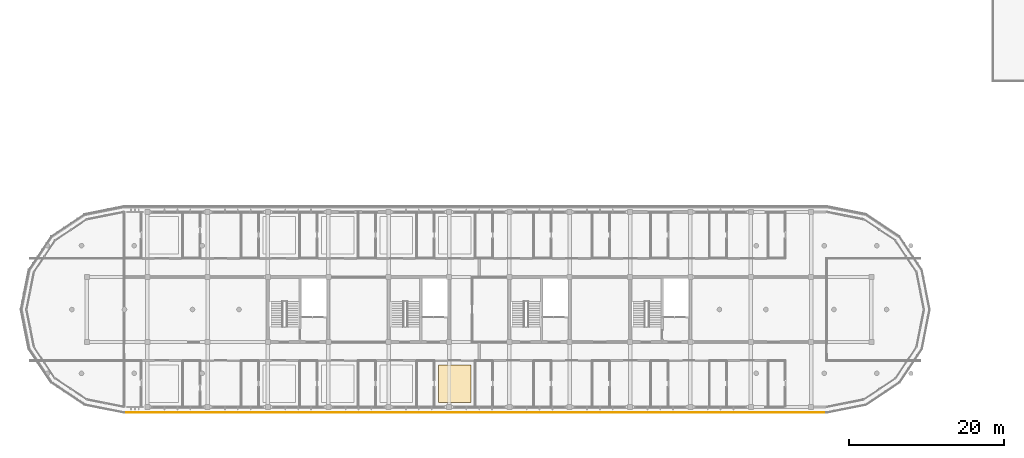
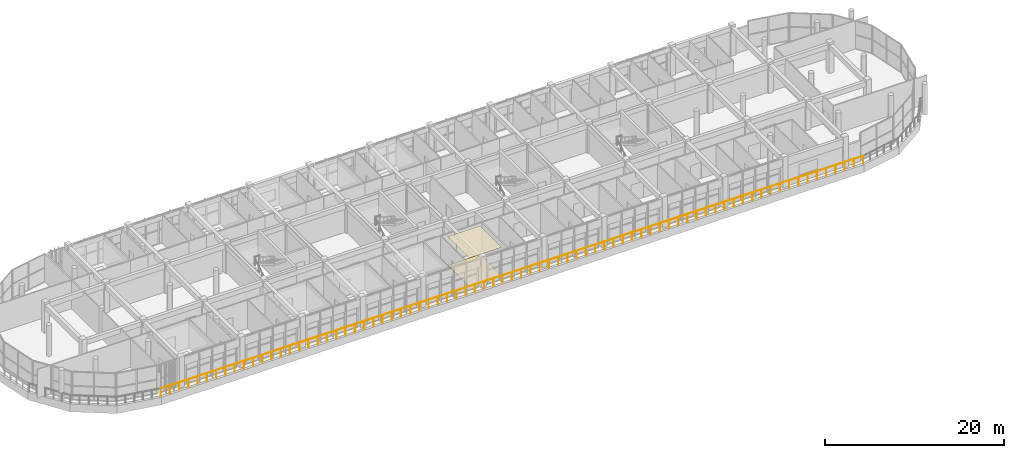
# One storey, part 58 of 63: 2 coverings, 1 railing.
"""IFC4 building model written with IfcOpenShell, lengths in metres."""

from ifc_helpers import new_model, si_unit, direction, frame, origin, origin_2d, place, context, subcontext, project, spatial, polyline, hollow_rectangle, circle, outline, extrude, material, layer, layer_set, material_profile, profile_set, type_object, element, save


model = new_model("IFC4")

# Units and contexts
model_context = context("Model", 3, precision=1e-05, world=origin(), true_north=direction((0.0, 1.0)))
body_context = subcontext(model_context, "Body", "Model", "MODEL_VIEW")
ifc_project = project(units=[si_unit("LENGTHUNIT", "METRE"), si_unit("AREAUNIT", "SQUARE_METRE"), si_unit("VOLUMEUNIT", "CUBIC_METRE"), si_unit("PLANEANGLEUNIT", "RADIAN"), si_unit("MASSUNIT", "GRAM", prefix="KILO")], contexts=[model_context])

# Site, building, storey
site_placement = place(None, origin())
site = spatial("IfcSite", under=ifc_project, at=site_placement, CompositionType="ELEMENT")
building_placement = place(site_placement, origin())
building = spatial("IfcBuilding", under=site, at=building_placement, Name="Zizhar Promenade General Hospital", CompositionType="ELEMENT")
storey_placement = place(building_placement, frame((0.0, 0.0, 18.0)))
storey = spatial("IfcBuildingStorey", under=building, at=storey_placement, Name="L04", CompositionType="ELEMENT", Elevation=18.0)

# Coverings
ifc_material_1 = material(Name="Hygienic acoustic mineral ceiling tile")
ifc_layer_1 = layer(ifc_material_1, 0.02001953125)
ifc_layer_set_1 = layer_set([ifc_layer_1], Name="Hygienic acoustic mineral ceiling tile")
covering_type_1 = type_object("IfcCoveringType", Name="COV-CLG-ACOUST-20", PredefinedType="CEILING", material=ifc_layer_set_1)
covering_1_placement = place(storey_placement, frame((0.0, 0.0, 3.89990234375)))
element("IfcCovering", 1, at=covering_1_placement, inside=storey, type_object=covering_type_1, Name="Acute Medical Inpatient Ward L04-S06 Hygienic Ceiling", PredefinedType="CEILING", context=body_context, shape_type="SweptSolid", body=[
    extrude(outline(polyline([(68.843017578125, 0.594970703125), (73.0400390625, 0.594970703125), (73.0400390625, 5.449951171875), (68.843017578125, 5.449951171875), (68.843017578125, 0.594970703125)])), origin(), (0.0, 0.0, 1.0), 0.02001953125),
])
ifc_material_2 = material(Name="Seamless antimicrobial vinyl flooring")
ifc_layer_2 = layer(ifc_material_2, 0.008056640625)
ifc_layer_set_2 = layer_set([ifc_layer_2], Name="Seamless antimicrobial vinyl flooring")
covering_type_2 = type_object("IfcCoveringType", Name="COV-FLR-VINYL-08", PredefinedType="FLOORING", material=ifc_layer_set_2)
covering_2_placement = place(storey_placement, origin())
element("IfcCovering", 2, at=covering_2_placement, inside=storey, type_object=covering_type_2, Name="Acute Medical Inpatient Ward L04-S06 Clinical Flooring", PredefinedType="FLOORING", context=body_context, shape_type="SweptSolid", body=[
    extrude(outline(polyline([(68.843017578125, 0.594970703125), (73.0400390625, 0.594970703125), (73.0400390625, 5.449951171875), (68.843017578125, 5.449951171875), (68.843017578125, 0.594970703125)])), origin(), (0.0, 0.0, 1.0), 0.008056640625),
])

# Railing
ifc_material_3 = material(Name="Steel S355", Category="steel")
ifc_material_profile = material_profile(ifc_material_3, hollow_rectangle(XDim=0.06005859375, YDim=0.1201171875, WallThickness=0.00390625, at=origin_2d()))
ifc_profile_set = profile_set([ifc_material_profile], Name="Steel S355")
railing_type = type_object("IfcRailingType", Name="RL-GUARD-EXT-1150", PredefinedType="GUARDRAIL", material=ifc_profile_set)
railing_placement = place(storey_placement, frame((28.199951171875, -0.719970703125, 0.0)))
element("IfcRailing", 3, at=railing_placement, inside=storey, type_object=railing_type, Name="Perimeter Safety Guardrail L04-18", PredefinedType="GUARDRAIL", context=body_context, shape_type="SweptSolid", body=[
    extrude(circle(Radius=0.02392578125, at=origin_2d()), frame((0.0, 0.0, 1.1259765625), z_axis=(1.0, 0.0, 0.0), x_axis=(0.0, 1.0, 0.0)), (0.0, 0.0, 1.0), 90.800048828125),
    extrude(circle(Radius=0.02099609375, at=origin_2d()), origin(), (0.0, 0.0, 1.0), 1.101806640625),
    extrude(circle(Radius=0.02099609375, at=origin_2d()), frame((1.19482421875, 0.0, 0.0)), (0.0, 0.0, 1.0), 1.101806640625),
    extrude(circle(Radius=0.02099609375, at=origin_2d()), frame((2.389404296875, 0.0, 0.0)), (0.0, 0.0, 1.0), 1.101806640625),
    extrude(circle(Radius=0.02099609375, at=origin_2d()), frame((3.584228515625, 0.0, 0.0)), (0.0, 0.0, 1.0), 1.101806640625),
    extrude(circle(Radius=0.02099609375, at=origin_2d()), frame((4.779052734375, 0.0, 0.0)), (0.0, 0.0, 1.0), 1.101806640625),
    extrude(circle(Radius=0.02099609375, at=origin_2d()), frame((5.9736328125, 0.0, 0.0)), (0.0, 0.0, 1.0), 1.101806640625),
    extrude(circle(Radius=0.02099609375, at=origin_2d()), frame((7.16845703125, 0.0, 0.0)), (0.0, 0.0, 1.0), 1.101806640625),
    extrude(circle(Radius=0.02099609375, at=origin_2d()), frame((8.36328125, 0.0, 0.0)), (0.0, 0.0, 1.0), 1.101806640625),
    extrude(circle(Radius=0.02099609375, at=origin_2d()), frame((9.557861328125, 0.0, 0.0)), (0.0, 0.0, 1.0), 1.101806640625),
    extrude(circle(Radius=0.02099609375, at=origin_2d()), frame((10.752685546875, 0.0, 0.0)), (0.0, 0.0, 1.0), 1.101806640625),
    extrude(circle(Radius=0.02099609375, at=origin_2d()), frame((11.947265625, 0.0, 0.0)), (0.0, 0.0, 1.0), 1.101806640625),
    extrude(circle(Radius=0.02099609375, at=origin_2d()), frame((13.14208984375, 0.0, 0.0)), (0.0, 0.0, 1.0), 1.101806640625),
    extrude(circle(Radius=0.02099609375, at=origin_2d()), frame((14.3369140625, 0.0, 0.0)), (0.0, 0.0, 1.0), 1.101806640625),
    extrude(circle(Radius=0.02099609375, at=origin_2d()), frame((15.531494140625, 0.0, 0.0)), (0.0, 0.0, 1.0), 1.101806640625),
    extrude(circle(Radius=0.02099609375, at=origin_2d()), frame((16.726318359375, 0.0, 0.0)), (0.0, 0.0, 1.0), 1.101806640625),
    extrude(circle(Radius=0.02099609375, at=origin_2d()), frame((17.921142578125, 0.0, 0.0)), (0.0, 0.0, 1.0), 1.101806640625),
    extrude(circle(Radius=0.02099609375, at=origin_2d()), frame((19.11572265625, 0.0, 0.0)), (0.0, 0.0, 1.0), 1.101806640625),
    extrude(circle(Radius=0.02099609375, at=origin_2d()), frame((20.310546875, 0.0, 0.0)), (0.0, 0.0, 1.0), 1.101806640625),
    extrude(circle(Radius=0.02099609375, at=origin_2d()), frame((21.50537109375, 0.0, 0.0)), (0.0, 0.0, 1.0), 1.101806640625),
    extrude(circle(Radius=0.02099609375, at=origin_2d()), frame((22.699951171875, 0.0, 0.0)), (0.0, 0.0, 1.0), 1.101806640625),
    extrude(circle(Radius=0.02099609375, at=origin_2d()), frame((23.894775390625, 0.0, 0.0)), (0.0, 0.0, 1.0), 1.101806640625),
    extrude(circle(Radius=0.02099609375, at=origin_2d()), frame((25.089599609375, 0.0, 0.0)), (0.0, 0.0, 1.0), 1.101806640625),
    extrude(circle(Radius=0.02099609375, at=origin_2d()), frame((26.2841796875, 0.0, 0.0)), (0.0, 0.0, 1.0), 1.101806640625),
    extrude(circle(Radius=0.02099609375, at=origin_2d()), frame((27.47900390625, 0.0, 0.0)), (0.0, 0.0, 1.0), 1.101806640625),
    extrude(circle(Radius=0.02099609375, at=origin_2d()), frame((28.673583984375, 0.0, 0.0)), (0.0, 0.0, 1.0), 1.101806640625),
    extrude(circle(Radius=0.02099609375, at=origin_2d()), frame((29.868408203125, 0.0, 0.0)), (0.0, 0.0, 1.0), 1.101806640625),
    extrude(circle(Radius=0.02099609375, at=origin_2d()), frame((31.063232421875, 0.0, 0.0)), (0.0, 0.0, 1.0), 1.101806640625),
    extrude(circle(Radius=0.02099609375, at=origin_2d()), frame((32.2578125, 0.0, 0.0)), (0.0, 0.0, 1.0), 1.101806640625),
    extrude(circle(Radius=0.02099609375, at=origin_2d()), frame((33.45263671875, 0.0, 0.0)), (0.0, 0.0, 1.0), 1.101806640625),
    extrude(circle(Radius=0.02099609375, at=origin_2d()), frame((34.6474609375, 0.0, 0.0)), (0.0, 0.0, 1.0), 1.101806640625),
    extrude(circle(Radius=0.02099609375, at=origin_2d()), frame((35.842041015625, 0.0, 0.0)), (0.0, 0.0, 1.0), 1.101806640625),
    extrude(circle(Radius=0.02099609375, at=origin_2d()), frame((37.036865234375, 0.0, 0.0)), (0.0, 0.0, 1.0), 1.101806640625),
    extrude(circle(Radius=0.02099609375, at=origin_2d()), frame((38.231689453125, 0.0, 0.0)), (0.0, 0.0, 1.0), 1.101806640625),
    extrude(circle(Radius=0.02099609375, at=origin_2d()), frame((39.42626953125, 0.0, 0.0)), (0.0, 0.0, 1.0), 1.101806640625),
    extrude(circle(Radius=0.02099609375, at=origin_2d()), frame((40.62109375, 0.0, 0.0)), (0.0, 0.0, 1.0), 1.101806640625),
    extrude(circle(Radius=0.02099609375, at=origin_2d()), frame((41.81591796875, 0.0, 0.0)), (0.0, 0.0, 1.0), 1.101806640625),
    extrude(circle(Radius=0.02099609375, at=origin_2d()), frame((43.010498046875, 0.0, 0.0)), (0.0, 0.0, 1.0), 1.101806640625),
    extrude(circle(Radius=0.02099609375, at=origin_2d()), frame((44.205322265625, 0.0, 0.0)), (0.0, 0.0, 1.0), 1.101806640625),
    extrude(circle(Radius=0.02099609375, at=origin_2d()), frame((45.39990234375, 0.0, 0.0)), (0.0, 0.0, 1.0), 1.101806640625),
    extrude(circle(Radius=0.02099609375, at=origin_2d()), frame((46.5947265625, 0.0, 0.0)), (0.0, 0.0, 1.0), 1.101806640625),
    extrude(circle(Radius=0.02099609375, at=origin_2d()), frame((47.78955078125, 0.0, 0.0)), (0.0, 0.0, 1.0), 1.101806640625),
    extrude(circle(Radius=0.02099609375, at=origin_2d()), frame((48.984130859375, 0.0, 0.0)), (0.0, 0.0, 1.0), 1.101806640625),
    extrude(circle(Radius=0.02099609375, at=origin_2d()), frame((50.178955078125, 0.0, 0.0)), (0.0, 0.0, 1.0), 1.101806640625),
    extrude(circle(Radius=0.02099609375, at=origin_2d()), frame((51.373779296875, 0.0, 0.0)), (0.0, 0.0, 1.0), 1.101806640625),
    extrude(circle(Radius=0.02099609375, at=origin_2d()), frame((52.568359375, 0.0, 0.0)), (0.0, 0.0, 1.0), 1.101806640625),
    extrude(circle(Radius=0.02099609375, at=origin_2d()), frame((53.76318359375, 0.0, 0.0)), (0.0, 0.0, 1.0), 1.101806640625),
    extrude(circle(Radius=0.02099609375, at=origin_2d()), frame((54.9580078125, 0.0, 0.0)), (0.0, 0.0, 1.0), 1.101806640625),
    extrude(circle(Radius=0.02099609375, at=origin_2d()), frame((56.152587890625, 0.0, 0.0)), (0.0, 0.0, 1.0), 1.101806640625),
    extrude(circle(Radius=0.02099609375, at=origin_2d()), frame((57.347412109375, 0.0, 0.0)), (0.0, 0.0, 1.0), 1.101806640625),
    extrude(circle(Radius=0.02099609375, at=origin_2d()), frame((58.542236328125, 0.0, 0.0)), (0.0, 0.0, 1.0), 1.101806640625),
    extrude(circle(Radius=0.02099609375, at=origin_2d()), frame((59.73681640625, 0.0, 0.0)), (0.0, 0.0, 1.0), 1.101806640625),
    extrude(circle(Radius=0.02099609375, at=origin_2d()), frame((60.931640625, 0.0, 0.0)), (0.0, 0.0, 1.0), 1.101806640625),
    extrude(circle(Radius=0.02099609375, at=origin_2d()), frame((62.12646484375, 0.0, 0.0)), (0.0, 0.0, 1.0), 1.101806640625),
    extrude(circle(Radius=0.02099609375, at=origin_2d()), frame((63.321044921875, 0.0, 0.0)), (0.0, 0.0, 1.0), 1.101806640625),
    extrude(circle(Radius=0.02099609375, at=origin_2d()), frame((64.515869140625, 0.0, 0.0)), (0.0, 0.0, 1.0), 1.101806640625),
    extrude(circle(Radius=0.02099609375, at=origin_2d()), frame((65.71044921875, 0.0, 0.0)), (0.0, 0.0, 1.0), 1.101806640625),
    extrude(circle(Radius=0.02099609375, at=origin_2d()), frame((66.9052734375, 0.0, 0.0)), (0.0, 0.0, 1.0), 1.101806640625),
    extrude(circle(Radius=0.02099609375, at=origin_2d()), frame((68.10009765625, 0.0, 0.0)), (0.0, 0.0, 1.0), 1.101806640625),
    extrude(circle(Radius=0.02099609375, at=origin_2d()), frame((69.294677734375, 0.0, 0.0)), (0.0, 0.0, 1.0), 1.101806640625),
    extrude(circle(Radius=0.02099609375, at=origin_2d()), frame((70.489501953125, 0.0, 0.0)), (0.0, 0.0, 1.0), 1.101806640625),
    extrude(circle(Radius=0.02099609375, at=origin_2d()), frame((71.684326171875, 0.0, 0.0)), (0.0, 0.0, 1.0), 1.101806640625),
    extrude(circle(Radius=0.02099609375, at=origin_2d()), frame((72.87890625, 0.0, 0.0)), (0.0, 0.0, 1.0), 1.101806640625),
    extrude(circle(Radius=0.02099609375, at=origin_2d()), frame((74.07373046875, 0.0, 0.0)), (0.0, 0.0, 1.0), 1.101806640625),
    extrude(circle(Radius=0.02099609375, at=origin_2d()), frame((75.2685546875, 0.0, 0.0)), (0.0, 0.0, 1.0), 1.101806640625),
    extrude(circle(Radius=0.02099609375, at=origin_2d()), frame((76.463134765625, 0.0, 0.0)), (0.0, 0.0, 1.0), 1.101806640625),
    extrude(circle(Radius=0.02099609375, at=origin_2d()), frame((77.657958984375, 0.0, 0.0)), (0.0, 0.0, 1.0), 1.101806640625),
    extrude(circle(Radius=0.02099609375, at=origin_2d()), frame((78.852783203125, 0.0, 0.0)), (0.0, 0.0, 1.0), 1.101806640625),
    extrude(circle(Radius=0.02099609375, at=origin_2d()), frame((80.04736328125, 0.0, 0.0)), (0.0, 0.0, 1.0), 1.101806640625),
    extrude(circle(Radius=0.02099609375, at=origin_2d()), frame((81.2421875, 0.0, 0.0)), (0.0, 0.0, 1.0), 1.101806640625),
    extrude(circle(Radius=0.02099609375, at=origin_2d()), frame((82.436767578125, 0.0, 0.0)), (0.0, 0.0, 1.0), 1.101806640625),
    extrude(circle(Radius=0.02099609375, at=origin_2d()), frame((83.631591796875, 0.0, 0.0)), (0.0, 0.0, 1.0), 1.101806640625),
    extrude(circle(Radius=0.02099609375, at=origin_2d()), frame((84.826416015625, 0.0, 0.0)), (0.0, 0.0, 1.0), 1.101806640625),
    extrude(circle(Radius=0.02099609375, at=origin_2d()), frame((86.02099609375, 0.0, 0.0)), (0.0, 0.0, 1.0), 1.101806640625),
    extrude(circle(Radius=0.02099609375, at=origin_2d()), frame((87.2158203125, 0.0, 0.0)), (0.0, 0.0, 1.0), 1.101806640625),
    extrude(circle(Radius=0.02099609375, at=origin_2d()), frame((88.41064453125, 0.0, 0.0)), (0.0, 0.0, 1.0), 1.101806640625),
    extrude(circle(Radius=0.02099609375, at=origin_2d()), frame((89.605224609375, 0.0, 0.0)), (0.0, 0.0, 1.0), 1.101806640625),
    extrude(circle(Radius=0.02099609375, at=origin_2d()), frame((90.800048828125, 0.0, 0.0)), (0.0, 0.0, 1.0), 1.101806640625),
])

save(model, "model.ifc")
